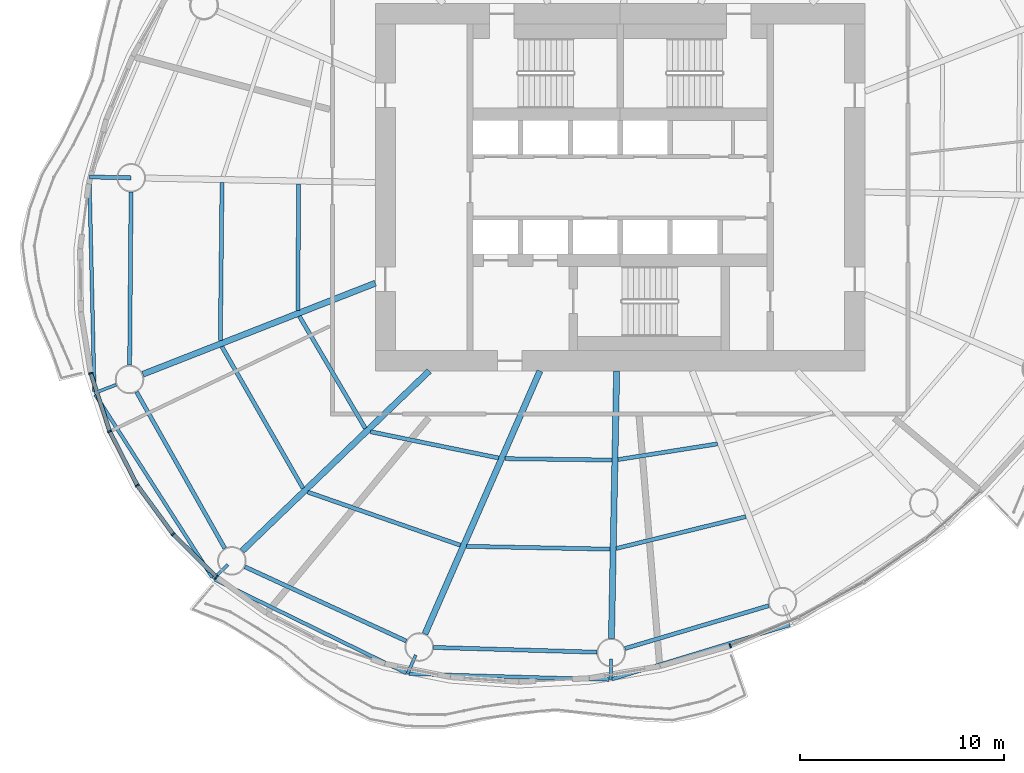
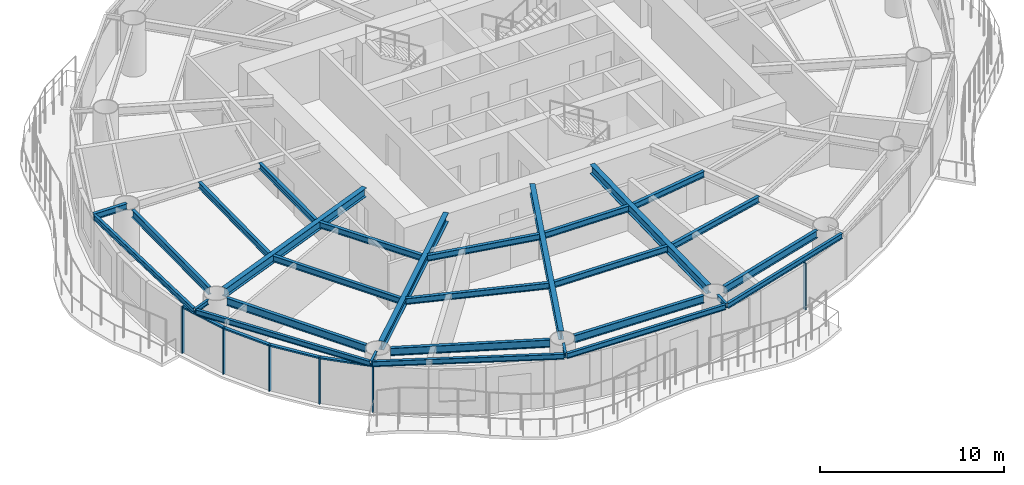
# One storey, part 2 of 15: 29 beams, 10 members, 5 elements without a shape of their own.
"""IFC4 building model written with IfcOpenShell, lengths in metres."""

from ifc_helpers import new_model, si_unit, direction, frame, origin, origin_2d, place, context, subcontext, project, spatial, rectangle, i_section, extrude, material, material_profile, profile_set, type_object, element, aggregate, save


model = new_model("IFC4")

# Units and contexts
model_context = context("Model", 3, precision=1e-05, world=origin(), true_north=direction((0.0, 1.0)))
body_context = subcontext(model_context, "Body", "Model", "MODEL_VIEW")
ifc_project = project(units=[si_unit("LENGTHUNIT", "METRE"), si_unit("AREAUNIT", "SQUARE_METRE"), si_unit("VOLUMEUNIT", "CUBIC_METRE"), si_unit("PLANEANGLEUNIT", "RADIAN"), si_unit("MASSUNIT", "GRAM", prefix="KILO")], contexts=[model_context])

# Site, building, storey
site_placement = place(None, origin())
site = spatial("IfcSite", under=ifc_project, at=site_placement, CompositionType="ELEMENT")
building_placement = place(site_placement, origin())
building = spatial("IfcBuilding", under=site, at=building_placement, Name="Vermilion Reach Broadcast Tower", CompositionType="ELEMENT")
storey_placement = place(building_placement, frame((0.0, 0.0, 161.39990234375)))
storey = spatial("IfcBuildingStorey", under=building, at=storey_placement, Name="L38", CompositionType="ELEMENT", Elevation=161.39990234375)

# Beams
ifc_material_1 = material(Name="Steel S355J2", Category="steel")
ifc_material_profile_1 = material_profile(ifc_material_1, i_section(OverallWidth=0.175048828125, OverallDepth=0.35009765625, WebThickness=0.007080078125, FlangeThickness=0.010986328125, at=origin_2d()), Name="S355J2 HN 350x175x7x11")
ifc_profile_set_1 = profile_set([ifc_material_profile_1], Name="Steel S355J2")
beam_type_1 = type_object("IfcBeamType", Name="EB3 HN 350x175x7x11", PredefinedType="BEAM", material=ifc_profile_set_1)
beam_1_placement = place(storey_placement, frame((-32.005126953125, 0.40380859375, 3.275146484375), z_axis=(0.023272406797, -0.999729160864, 0.0), x_axis=(0.999729160864, 0.023272406797, 0.0)))
element("IfcBeam", 1, at=beam_1_placement, inside=storey, type_object=beam_type_1, Name="Edge beam EB3-07", PredefinedType="BEAM", context=body_context, shape_type="SweptSolid", body=[
    extrude(i_section(OverallWidth=0.175048828125, OverallDepth=0.35009765625, WebThickness=0.007080078125, FlangeThickness=0.010986328125, at=origin_2d()), origin(), (0.0, 0.0, 1.0), 10.417236328125),
])
beam_2_placement = place(storey_placement, frame((-31.7197265625, -10.15478515625, 3.275146484375), z_axis=(0.539365485007, -0.842071774603, 0.0), x_axis=(0.842071774603, 0.539365485007, 0.0)))
element("IfcBeam", 2, at=beam_2_placement, inside=storey, type_object=beam_type_1, Name="Edge beam EB3-08", PredefinedType="BEAM", context=body_context, shape_type="SweptSolid", body=[
    extrude(i_section(OverallWidth=0.175048828125, OverallDepth=0.35009765625, WebThickness=0.007080078125, FlangeThickness=0.010986328125, at=origin_2d()), origin(), (0.0, 0.0, 1.0), 10.64208984375),
])
beam_3_placement = place(storey_placement, frame((-25.866943359375, -19.215576171875, 3.275146484375), z_axis=(0.898384770924, -0.439209293358, 0.0), x_axis=(0.439209293358, 0.898384770924, 0.0)))
element("IfcBeam", 3, at=beam_3_placement, inside=storey, type_object=beam_type_1, Name="Edge beam EB3-09", PredefinedType="BEAM", context=body_context, shape_type="SweptSolid", body=[
    extrude(i_section(OverallWidth=0.175048828125, OverallDepth=0.35009765625, WebThickness=0.007080078125, FlangeThickness=0.010986328125, at=origin_2d()), origin(), (0.0, 0.0, 1.0), 10.4423828125),
])
beam_4_placement = place(storey_placement, frame((-16.33740234375, -23.837158203125, 3.275146484375), z_axis=(0.999591598594, -0.028576844136, 0.0), x_axis=(0.028576844136, 0.999591598594, 0.0)))
element("IfcBeam", 4, at=beam_4_placement, inside=storey, type_object=beam_type_1, Name="Edge beam EB3-10", PredefinedType="BEAM", context=body_context, shape_type="SweptSolid", body=[
    extrude(i_section(OverallWidth=0.175048828125, OverallDepth=0.35009765625, WebThickness=0.007080078125, FlangeThickness=0.010986328125, at=origin_2d()), origin(), (0.0, 0.0, 1.0), 9.799072265625),
])
beam_5_placement = place(storey_placement, frame((-6.391845703125, -24.096435546875, 3.275146484375), z_axis=(0.956501934131, 0.291725984452, 0.0), x_axis=(-0.291725984452, 0.956501934131, 0.0)))
element("IfcBeam", 5, at=beam_5_placement, inside=storey, type_object=beam_type_1, Name="Edge beam EB3-11", PredefinedType="BEAM", context=body_context, shape_type="SweptSolid", body=[
    extrude(i_section(OverallWidth=0.175048828125, OverallDepth=0.35009765625, WebThickness=0.007080078125, FlangeThickness=0.010986328125, at=origin_2d()), origin(), (0.0, 0.0, 1.0), 9.105224609375),
])
ifc_material_2 = material(Name="Steel S355J2", Category="steel")
ifc_material_profile_2 = material_profile(ifc_material_2, i_section(OverallWidth=0.300048828125, OverallDepth=0.587890625, WebThickness=0.011962890625, FlangeThickness=0.02001953125, at=origin_2d()), Name="S355J2 HM 588x300x12x20")
ifc_profile_set_2 = profile_set([ifc_material_profile_2], Name="Steel S355J2")
beam_type_2 = type_object("IfcBeamType", Name="G3 HM 588x300x12x20", PredefinedType="BEAM", material=ifc_profile_set_2)
beam_6_placement = place(storey_placement, frame((-18.0, -4.700439453125, 3.156005859375), z_axis=(-0.931124635714, -0.364701128004, 0.0), x_axis=(0.364701128004, -0.931124635714, 0.0)))
element("IfcBeam", 6, at=beam_6_placement, inside=storey, type_object=beam_type_2, Name="Girder G3-08", PredefinedType="BEAM", context=body_context, shape_type="SweptSolid", body=[
    extrude(i_section(OverallWidth=0.300048828125, OverallDepth=0.587890625, WebThickness=0.011962890625, FlangeThickness=0.02001953125, at=origin_2d()), origin(), (0.0, 0.0, 1.0), 12.231201171875),
])
beam_7_placement = place(storey_placement, frame((-15.355712890625, -9.0, 3.156005859375), z_axis=(-0.720670374476, -0.693277874559, 0.0), x_axis=(0.693277874559, -0.720670374476, 0.0)))
element("IfcBeam", 7, at=beam_7_placement, inside=storey, type_object=beam_type_2, Name="Girder G3-09", PredefinedType="BEAM", context=body_context, shape_type="SweptSolid", body=[
    extrude(i_section(OverallWidth=0.300048828125, OverallDepth=0.587890625, WebThickness=0.011962890625, FlangeThickness=0.02001953125, at=origin_2d()), origin(), (0.0, 0.0, 1.0), 12.718505859375),
])
beam_8_placement = place(storey_placement, frame((-9.933837890625, -9.0, 3.156005859375), z_axis=(-0.400519113205, -0.916288404356, 0.0), x_axis=(0.916288404356, -0.400519113205, 0.0)))
element("IfcBeam", 8, at=beam_8_placement, inside=storey, type_object=beam_type_2, Name="Girder G3-10", PredefinedType="BEAM", context=body_context, shape_type="SweptSolid", body=[
    extrude(i_section(OverallWidth=0.300048828125, OverallDepth=0.587890625, WebThickness=0.011962890625, FlangeThickness=0.02001953125, at=origin_2d()), origin(), (0.0, 0.0, 1.0), 14.0595703125),
])
beam_9_placement = place(storey_placement, frame((-6.17431640625, -9.0, 3.156005859375), z_axis=(-0.019378372481, -0.99981222171, 0.0), x_axis=(0.99981222171, -0.019378372481, 0.0)))
element("IfcBeam", 9, at=beam_9_placement, inside=storey, type_object=beam_type_2, Name="Girder G3-11", PredefinedType="BEAM", context=body_context, shape_type="SweptSolid", body=[
    extrude(i_section(OverallWidth=0.300048828125, OverallDepth=0.587890625, WebThickness=0.011962890625, FlangeThickness=0.02001953125, at=origin_2d()), origin(), (0.0, 0.0, 1.0), 13.1025390625),
])
ifc_material_3 = material(Name="Steel S355J2", Category="steel")
ifc_material_profile_3 = material_profile(ifc_material_3, i_section(OverallWidth=0.199951171875, OverallDepth=0.39990234375, WebThickness=0.008056640625, FlangeThickness=0.012939453125, at=origin_2d()), Name="S355J2 HN 400x200x8x13")
ifc_profile_set_3 = profile_set([ifc_material_profile_3], Name="Steel S355J2")
beam_type_3 = type_object("IfcBeamType", Name="GC3 HN 400x200x8x13", PredefinedType="BEAM", material=ifc_profile_set_3)
beam_10_placement = place(storey_placement, frame((-29.95947265625, 0.464111328125, 3.25), z_axis=(-0.999811286975, 0.019426539489, 0.0), x_axis=(-0.019426539489, -0.999811286975, 0.0)))
element("IfcBeam", 10, at=beam_10_placement, inside=storey, type_object=beam_type_3, Name="Cantilever girder GC3-07", PredefinedType="BEAM", context=body_context, shape_type="SweptSolid", body=[
    extrude(i_section(OverallWidth=0.199951171875, OverallDepth=0.39990234375, WebThickness=0.008056640625, FlangeThickness=0.012939453125, at=origin_2d()), origin(), (0.0, 0.0, 1.0), 2.048583984375),
])
ifc_material_4 = material(Name="Steel S355J2", Category="steel")
ifc_material_profile_4 = material_profile(ifc_material_4, i_section(OverallWidth=0.14990234375, OverallDepth=0.300048828125, WebThickness=0.006591796875, FlangeThickness=0.009033203125, at=origin_2d()), Name="S355J2 HN 300x150x6.5x9")
ifc_profile_set_4 = profile_set([ifc_material_profile_4], Name="Steel S355J2")
beam_type_4 = type_object("IfcBeamType", Name="GS3 HN 300x150x6.5x9", PredefinedType="BEAM", material=ifc_profile_set_4)
beam_11_placement = place(storey_placement, frame((-30.6923828125, -9.671875, 3.300048828125), z_axis=(-0.931151726933, -0.364631953384, 0.0), x_axis=(0.364631953384, -0.931151726933, 0.0)))
element("IfcBeam", 11, at=beam_11_placement, inside=storey, type_object=beam_type_4, Name="Cantilever stub GS3-08", PredefinedType="BEAM", context=body_context, shape_type="SweptSolid", body=[
    extrude(i_section(OverallWidth=0.14990234375, OverallDepth=0.300048828125, WebThickness=0.006591796875, FlangeThickness=0.009033203125, at=origin_2d()), origin(), (0.0, 0.0, 1.0), 1.147705078125),
])
for number, where, z_axis, x_axis, name in (
    (12, (-25.2177734375, -18.4873046875, 3.300048828125), (-0.720645397388, -0.693303837595, 0.0), (0.693303837595, -0.720645397388, 0.0), "Cantilever stub GS3-09"),
    (13, (-16.017578125, -22.918701171875, 3.300048828125), (-0.400626718411, -0.916241361485, 0.0), (0.916241361485, -0.400626718411, 0.0), "Cantilever stub GS3-10"),
    (14, (-6.447998046875, -23.11962890625, 3.300048828125), (-0.019288230334, -0.999813964781, 0.0), (0.999813964781, -0.019288230334, 0.0), "Cantilever stub GS3-11"),
):
    element("IfcBeam", number, at=place(storey_placement, frame(where, z_axis=z_axis, x_axis=x_axis)), inside=storey, type_object=beam_type_4, Name=name, PredefinedType="BEAM", context=body_context, shape_type="SweptSolid", body=[
        extrude(i_section(OverallWidth=0.14990234375, OverallDepth=0.300048828125, WebThickness=0.006591796875, FlangeThickness=0.009033203125, at=origin_2d()), origin(), (0.0, 0.0, 1.0), 1.0),
    ])
ifc_material_5 = material(Name="Steel S355J2", Category="steel")
ifc_material_profile_5 = material_profile(ifc_material_5, i_section(OverallWidth=0.199951171875, OverallDepth=0.5, WebThickness=0.010009765625, FlangeThickness=0.01611328125, at=origin_2d()), Name="S355J2 HN 500x200x10x16")
ifc_profile_set_5 = profile_set([ifc_material_profile_5], Name="Steel S355J2")
beam_type_5 = type_object("IfcBeamType", Name="RB3 HN 500x200x10x16", PredefinedType="BEAM", material=ifc_profile_set_5)
beam_12_placement = place(storey_placement, frame((-29.965087890625, -0.23583984375, 3.2001953125), z_axis=(-0.008204232036, -0.999966344722, 0.0), x_axis=(0.999966344722, -0.008204232036, 0.0)))
element("IfcBeam", 15, at=beam_12_placement, inside=storey, type_object=beam_type_5, Name="Ring beam RB3-07", PredefinedType="BEAM", context=body_context, shape_type="SweptSolid", body=[
    extrude(i_section(OverallWidth=0.199951171875, OverallDepth=0.5, WebThickness=0.010009765625, FlangeThickness=0.01611328125, at=origin_2d()), origin(), (0.0, 0.0, 1.0), 8.48095703125),
])
beam_13_placement = place(storey_placement, frame((-29.696533203125, -10.026123046875, 3.2001953125), z_axis=(0.491466825026, -0.870896296869, 0.0), x_axis=(0.870896296869, 0.491466825026, 0.0)))
element("IfcBeam", 16, at=beam_13_placement, inside=storey, type_object=beam_type_5, Name="Ring beam RB3-08", PredefinedType="BEAM", context=body_context, shape_type="SweptSolid", body=[
    extrude(i_section(OverallWidth=0.199951171875, OverallDepth=0.5, WebThickness=0.010009765625, FlangeThickness=0.01611328125, at=origin_2d()), origin(), (0.0, 0.0, 1.0), 8.803466796875),
])
beam_14_placement = place(storey_placement, frame((-24.389892578125, -18.594970703125, 3.2001953125), z_axis=(0.908546241769, -0.417784306272, 0.0), x_axis=(0.417784306272, 0.908546241769, 0.0)))
element("IfcBeam", 17, at=beam_14_placement, inside=storey, type_object=beam_type_5, Name="Ring beam RB3-09", PredefinedType="BEAM", context=body_context, shape_type="SweptSolid", body=[
    extrude(i_section(OverallWidth=0.199951171875, OverallDepth=0.5, WebThickness=0.010009765625, FlangeThickness=0.01611328125, at=origin_2d()), origin(), (0.0, 0.0, 1.0), 8.704833984375),
])
beam_15_placement = place(storey_placement, frame((-15.1455078125, -22.544677734375, 3.2001953125), z_axis=(0.999569781146, -0.029330063427, 0.0), x_axis=(0.029330063427, 0.999569781146, 0.0)))
element("IfcBeam", 18, at=beam_15_placement, inside=storey, type_object=beam_type_5, Name="Ring beam RB3-10", PredefinedType="BEAM", context=body_context, shape_type="SweptSolid", body=[
    extrude(i_section(OverallWidth=0.199951171875, OverallDepth=0.5, WebThickness=0.010009765625, FlangeThickness=0.01611328125, at=origin_2d()), origin(), (0.0, 0.0, 1.0), 8.007568359375),
])
beam_16_placement = place(storey_placement, frame((-5.770751953125, -22.60009765625, 3.2001953125), z_axis=(0.958416970322, 0.285371531516, 0.0), x_axis=(-0.285371531516, 0.958416970322, 0.0)))
element("IfcBeam", 19, at=beam_16_placement, inside=storey, type_object=beam_type_5, Name="Ring beam RB3-11", PredefinedType="BEAM", context=body_context, shape_type="SweptSolid", body=[
    extrude(i_section(OverallWidth=0.199951171875, OverallDepth=0.5, WebThickness=0.010009765625, FlangeThickness=0.01611328125, at=origin_2d()), origin(), (0.0, 0.0, 1.0), 7.357421875),
])
ifc_material_6 = material(Name="Steel S355J2", Category="steel")
ifc_material_profile_6 = material_profile(ifc_material_6, i_section(OverallWidth=0.199951171875, OverallDepth=0.39990234375, WebThickness=0.008056640625, FlangeThickness=0.012939453125, at=origin_2d()), Name="S355J2 HN 400x200x8x13")
ifc_profile_set_6 = profile_set([ifc_material_profile_6], Name="Steel S355J2")
beam_type_6 = type_object("IfcBeamType", Name="SB3 HN 400x200x8x13", PredefinedType="BEAM", material=ifc_profile_set_6)
beam_17_placement = place(storey_placement, frame((-21.754150390625, 0.1552734375, 3.25), z_axis=(-0.006635449147, -0.999977985165, 0.0), x_axis=(0.999977985165, -0.006635449147, 0.0)))
element("IfcBeam", 20, at=beam_17_placement, inside=storey, type_object=beam_type_6, Name="Secondary beam SB3-07-1", PredefinedType="BEAM", context=body_context, shape_type="SweptSolid", body=[
    extrude(i_section(OverallWidth=0.199951171875, OverallDepth=0.39990234375, WebThickness=0.008056640625, FlangeThickness=0.012939453125, at=origin_2d()), origin(), (0.0, 0.0, 1.0), 6.181396484375),
])
beam_18_placement = place(storey_placement, frame((-25.508056640625, 0.22802734375, 3.25), z_axis=(-0.010691708672, -0.999942842049, 0.0), x_axis=(0.999942842049, -0.010691708672, 0.0)))
element("IfcBeam", 21, at=beam_18_placement, inside=storey, type_object=beam_type_6, Name="Secondary beam SB3-07-2", PredefinedType="BEAM", context=body_context, shape_type="SweptSolid", body=[
    extrude(i_section(OverallWidth=0.199951171875, OverallDepth=0.39990234375, WebThickness=0.008056640625, FlangeThickness=0.012939453125, at=origin_2d()), origin(), (0.0, 0.0, 1.0), 7.740966796875),
])
beam_19_placement = place(storey_placement, frame((-21.71923828125, -6.318115234375, 3.25), z_axis=(0.507249643612, -0.861799163991, 0.0), x_axis=(0.861799163991, 0.507249643612, 0.0)))
element("IfcBeam", 22, at=beam_19_placement, inside=storey, type_object=beam_type_6, Name="Secondary beam SB3-08-1", PredefinedType="BEAM", context=body_context, shape_type="SweptSolid", body=[
    extrude(i_section(OverallWidth=0.199951171875, OverallDepth=0.39990234375, WebThickness=0.008056640625, FlangeThickness=0.012939453125, at=origin_2d()), origin(), (0.0, 0.0, 1.0), 6.3681640625),
])
beam_20_placement = place(storey_placement, frame((-25.51708984375, -7.805908203125, 3.25), z_axis=(0.497026503115, -0.867735360119, 0.0), x_axis=(0.867735360119, 0.497026503115, 0.0)))
element("IfcBeam", 23, at=beam_20_placement, inside=storey, type_object=beam_type_6, Name="Secondary beam SB3-08-2", PredefinedType="BEAM", context=body_context, shape_type="SweptSolid", body=[
    extrude(i_section(OverallWidth=0.199951171875, OverallDepth=0.39990234375, WebThickness=0.008056640625, FlangeThickness=0.012939453125, at=origin_2d()), origin(), (0.0, 0.0, 1.0), 7.995849609375),
])
beam_21_placement = place(storey_placement, frame((-18.232666015625, -11.975830078125, 3.25), z_axis=(0.97956765607, -0.201114910391, 0.0), x_axis=(0.201114910391, 0.97956765607, 0.0)))
element("IfcBeam", 24, at=beam_21_placement, inside=storey, type_object=beam_type_6, Name="Secondary beam SB3-09-1", PredefinedType="BEAM", context=body_context, shape_type="SweptSolid", body=[
    extrude(i_section(OverallWidth=0.199951171875, OverallDepth=0.39990234375, WebThickness=0.008056640625, FlangeThickness=0.012939453125, at=origin_2d()), origin(), (0.0, 0.0, 1.0), 6.40234375),
])
beam_22_placement = place(storey_placement, frame((-21.307373046875, -14.93359375, 3.25), z_axis=(0.94431696779, -0.329037177754, 0.0), x_axis=(0.329037177754, 0.94431696779, 0.0)))
element("IfcBeam", 25, at=beam_22_placement, inside=storey, type_object=beam_type_6, Name="Secondary beam SB3-09-2", PredefinedType="BEAM", context=body_context, shape_type="SweptSolid", body=[
    extrude(i_section(OverallWidth=0.199951171875, OverallDepth=0.39990234375, WebThickness=0.008056640625, FlangeThickness=0.012939453125, at=origin_2d()), origin(), (0.0, 0.0, 1.0), 7.91845703125),
])
beam_23_placement = place(storey_placement, frame((-11.648193359375, -13.29638671875, 3.25), z_axis=(0.999914891843, -0.013046419838, 0.0), x_axis=(0.013046419838, 0.999914891843, 0.0)))
element("IfcBeam", 26, at=beam_23_placement, inside=storey, type_object=beam_type_6, Name="Secondary beam SB3-10-1", PredefinedType="BEAM", context=body_context, shape_type="SweptSolid", body=[
    extrude(i_section(OverallWidth=0.199951171875, OverallDepth=0.39990234375, WebThickness=0.008056640625, FlangeThickness=0.012939453125, at=origin_2d()), origin(), (0.0, 0.0, 1.0), 5.23974609375),
])
beam_24_placement = place(storey_placement, frame((-13.525634765625, -17.591552734375, 3.25), z_axis=(0.999804929321, -0.019751033045, 0.0), x_axis=(0.019751033045, 0.999804929321, 0.0)))
element("IfcBeam", 27, at=beam_24_placement, inside=storey, type_object=beam_type_6, Name="Secondary beam SB3-10-2", PredefinedType="BEAM", context=body_context, shape_type="SweptSolid", body=[
    extrude(i_section(OverallWidth=0.199951171875, OverallDepth=0.39990234375, WebThickness=0.008056640625, FlangeThickness=0.012939453125, at=origin_2d()), origin(), (0.0, 0.0, 1.0), 7.033447265625),
])
beam_25_placement = place(storey_placement, frame((-6.1083984375, -13.343017578125, 3.25), z_axis=(0.987756142208, 0.15600578044, 0.0), x_axis=(-0.15600578044, 0.987756142208, 0.0)))
element("IfcBeam", 28, at=beam_25_placement, inside=storey, type_object=beam_type_6, Name="Secondary beam SB3-11-1", PredefinedType="BEAM", context=body_context, shape_type="SweptSolid", body=[
    extrude(i_section(OverallWidth=0.199951171875, OverallDepth=0.39990234375, WebThickness=0.008056640625, FlangeThickness=0.012939453125, at=origin_2d()), origin(), (0.0, 0.0, 1.0), 4.9326171875),
])
beam_26_placement = place(storey_placement, frame((-6.19287109375, -17.6962890625, 3.25), z_axis=(0.971111691931, 0.238625400566, 0.0), x_axis=(-0.238625400566, 0.971111691931, 0.0)))
element("IfcBeam", 29, at=beam_26_placement, inside=storey, type_object=beam_type_6, Name="Secondary beam SB3-11-2", PredefinedType="BEAM", context=body_context, shape_type="SweptSolid", body=[
    extrude(i_section(OverallWidth=0.199951171875, OverallDepth=0.39990234375, WebThickness=0.008056640625, FlangeThickness=0.012939453125, at=origin_2d()), origin(), (0.0, 0.0, 1.0), 6.540771484375),
])

# Curtain wall, member
ifc_material_7 = material(Name="Low-e laminated clear glass in aluminium frame", Category="aluminium")
curtain_wall_type = type_object("IfcCurtainWallType", Name="Slot curtain wall", PredefinedType="NOTDEFINED", material=ifc_material_7)
placement = place(storey_placement, origin())
curtain_wall_1 = element("IfcCurtainWall", 30, at=placement, inside=storey, type_object=curtain_wall_type, Name="Slot curtain wall L38 22", PredefinedType="NOTDEFINED")
ifc_material_8 = material(Name="Anodised aluminium", Category="aluminium")
ifc_material_profile_7 = material_profile(ifc_material_8, rectangle(XDim=0.199951171875, YDim=0.080078125, at=origin_2d()), Name="Slot mullion 80 x 200")
ifc_profile_set_7 = profile_set([ifc_material_profile_7], Name="Anodised aluminium")
member_type_1 = type_object("IfcMemberType", Name="Slot mullion 80 x 200", PredefinedType="MULLION", material=ifc_profile_set_7)
member_1_placement = place(storey_placement, frame((-31.938720703125, -9.11328125, 0.0), z_axis=(0.0, 0.0, 1.0), x_axis=(0.971934069749, 0.235253403933, 0.0)))
member_1 = element("IfcMember", 31, at=member_1_placement, type_object=member_type_1, Name="Slot mullion L38 22", PredefinedType="MULLION", context=body_context, shape_type="SweptSolid", body=[
    extrude(rectangle(XDim=0.199951171875, YDim=0.080078125, at=origin_2d()), origin(), (0.0, 0.0, 1.0), 3.10009765625),
])

curtain_wall_2 = element("IfcCurtainWall", 32, at=placement, inside=storey, type_object=curtain_wall_type, Name="Slot curtain wall L38 23", PredefinedType="NOTDEFINED")
member_2_placement = place(storey_placement, frame((-31.011962890625, -11.95947265625, 0.0), z_axis=(0.0, 0.0, 1.0), x_axis=(0.923403798138, 0.383829943574, 0.0)))
member_2 = element("IfcMember", 33, at=member_2_placement, type_object=member_type_1, Name="Slot mullion L38 23", PredefinedType="MULLION", context=body_context, shape_type="SweptSolid", body=[
    extrude(rectangle(XDim=0.199951171875, YDim=0.080078125, at=origin_2d()), origin(), (0.0, 0.0, 1.0), 3.10009765625),
])

curtain_wall_3 = element("IfcCurtainWall", 34, at=placement, inside=storey, type_object=curtain_wall_type, Name="Slot curtain wall L38 24", PredefinedType="NOTDEFINED")
member_3_placement = place(storey_placement, frame((-29.65966796875, -14.60107421875, 0.0), z_axis=(0.0, 0.0, 1.0), x_axis=(0.850994521016, 0.525174566407, 0.0)))
member_3 = element("IfcMember", 35, at=member_3_placement, type_object=member_type_1, Name="Slot mullion L38 24", PredefinedType="MULLION", context=body_context, shape_type="SweptSolid", body=[
    extrude(rectangle(XDim=0.199951171875, YDim=0.080078125, at=origin_2d()), origin(), (0.0, 0.0, 1.0), 3.10009765625),
])

# Curtain wall, members
curtain_wall_4 = element("IfcCurtainWall", 36, at=placement, inside=storey, type_object=curtain_wall_type, Name="Slot curtain wall L38 25", PredefinedType="NOTDEFINED")
member_4_placement = place(storey_placement, frame((-27.90478515625, -16.994384765625, 0.0), z_axis=(0.0, 0.0, 1.0), x_axis=(0.757121793507, 0.653273747977, 0.0)))
member_4 = element("IfcMember", 37, at=member_4_placement, type_object=member_type_1, Name="Slot mullion L38 25", PredefinedType="MULLION", context=body_context, shape_type="SweptSolid", body=[
    extrude(rectangle(XDim=0.199951171875, YDim=0.080078125, at=origin_2d()), origin(), (0.0, 0.0, 1.0), 3.10009765625),
])
member_5_placement = place(storey_placement, frame((-25.7763671875, -19.098876953125, 0.0), z_axis=(0.0, 0.0, 1.0), x_axis=(0.646078087441, 0.763271318031, 0.0)))
member_5 = element("IfcMember", 38, at=member_5_placement, type_object=member_type_1, Name="Slot mullion L38 26", PredefinedType="MULLION", context=body_context, shape_type="SweptSolid", body=[
    extrude(rectangle(XDim=0.199951171875, YDim=0.080078125, at=origin_2d()), origin(), (0.0, 0.0, 1.0), 3.10009765625),
])

# Curtain wall, member
curtain_wall_5 = element("IfcCurtainWall", 39, at=placement, inside=storey, type_object=curtain_wall_type, Name="Slot curtain wall L38 34", PredefinedType="NOTDEFINED")
member_6_placement = place(storey_placement, frame((-0.60693359375, -22.466064453125, 0.0), z_axis=(0.0, 0.0, 1.0), x_axis=(-0.330168406061, 0.9439220432, 0.0)))
member_6 = element("IfcMember", 40, at=member_6_placement, type_object=member_type_1, Name="Slot mullion L38 34", PredefinedType="MULLION", context=body_context, shape_type="SweptSolid", body=[
    extrude(rectangle(XDim=0.199951171875, YDim=0.080078125, at=origin_2d()), origin(), (0.0, 0.0, 1.0), 3.10009765625),
])
aggregate(curtain_wall_5, [member_6])

# Member
ifc_material_9 = material(Name="Anodised aluminium", Category="aluminium")
ifc_material_profile_8 = material_profile(ifc_material_9, rectangle(XDim=0.199951171875, YDim=0.10009765625, at=origin_2d()), Name="Slot transom 200 x 100")
ifc_profile_set_8 = profile_set([ifc_material_profile_8], Name="Anodised aluminium")
member_type_2 = type_object("IfcMemberType", Name="Slot transom 200 x 100", PredefinedType="USERDEFINED", material=ifc_profile_set_8)
member_7_placement = place(storey_placement, frame((-31.92626953125, -9.1513671875, 3.050048828125), z_axis=(0.309582523063, -0.950872578958, 0.0), x_axis=(0.950872578958, 0.309582523063, 0.0)))
member_7 = element("IfcMember", 41, at=member_7_placement, type_object=member_type_2, Name="Slot transom L38 22.1", ObjectType="TRANSOM", PredefinedType="USERDEFINED", context=body_context, shape_type="SweptSolid", body=[
    extrude(rectangle(XDim=0.199951171875, YDim=0.10009765625, at=origin_2d()), origin(), (0.0, 0.0, 1.0), 2.9130859375),
])

aggregate(curtain_wall_1, [member_1, member_7])

member_8_placement = place(storey_placement, frame((-30.99365234375, -11.9951171875, 3.050048828125), z_axis=(0.455648776842, -0.8901596442, 0.0), x_axis=(0.8901596442, 0.455648776842, 0.0)))
member_8 = element("IfcMember", 42, at=member_8_placement, type_object=member_type_2, Name="Slot transom L38 23.1", ObjectType="TRANSOM", PredefinedType="USERDEFINED", context=body_context, shape_type="SweptSolid", body=[
    extrude(rectangle(XDim=0.199951171875, YDim=0.10009765625, at=origin_2d()), origin(), (0.0, 0.0, 1.0), 2.887451171875),
])

aggregate(curtain_wall_2, [member_2, member_8])

member_9_placement = place(storey_placement, frame((-29.635986328125, -14.63330078125, 3.050048828125), z_axis=(0.591334339952, -0.806426499065, 0.0), x_axis=(0.806426499065, 0.591334339952, 0.0)))
member_9 = element("IfcMember", 43, at=member_9_placement, type_object=member_type_2, Name="Slot transom L38 24.1", ObjectType="TRANSOM", PredefinedType="USERDEFINED", context=body_context, shape_type="SweptSolid", body=[
    extrude(rectangle(XDim=0.199951171875, YDim=0.10009765625, at=origin_2d()), origin(), (0.0, 0.0, 1.0), 2.887451171875),
])

aggregate(curtain_wall_3, [member_3, member_9])

member_10_placement = place(storey_placement, frame((-27.876220703125, -17.0224609375, 3.050048828125), z_axis=(0.711118163099, -0.703072512697, 0.0), x_axis=(0.703072512697, 0.711118163099, 0.0)))
member_10 = element("IfcMember", 44, at=member_10_placement, type_object=member_type_2, Name="Slot transom L38 25.1", ObjectType="TRANSOM", PredefinedType="USERDEFINED", context=body_context, shape_type="SweptSolid", body=[
    extrude(rectangle(XDim=0.199951171875, YDim=0.10009765625, at=origin_2d()), origin(), (0.0, 0.0, 1.0), 2.9130859375),
])

aggregate(curtain_wall_4, [member_4, member_5, member_10])

save(model, "model.ifc")
